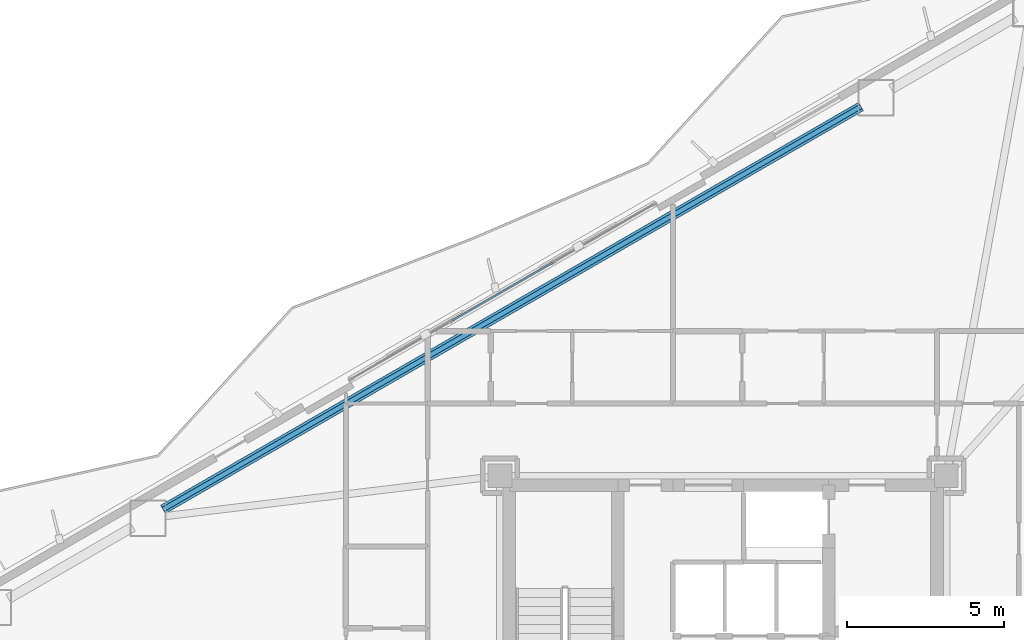
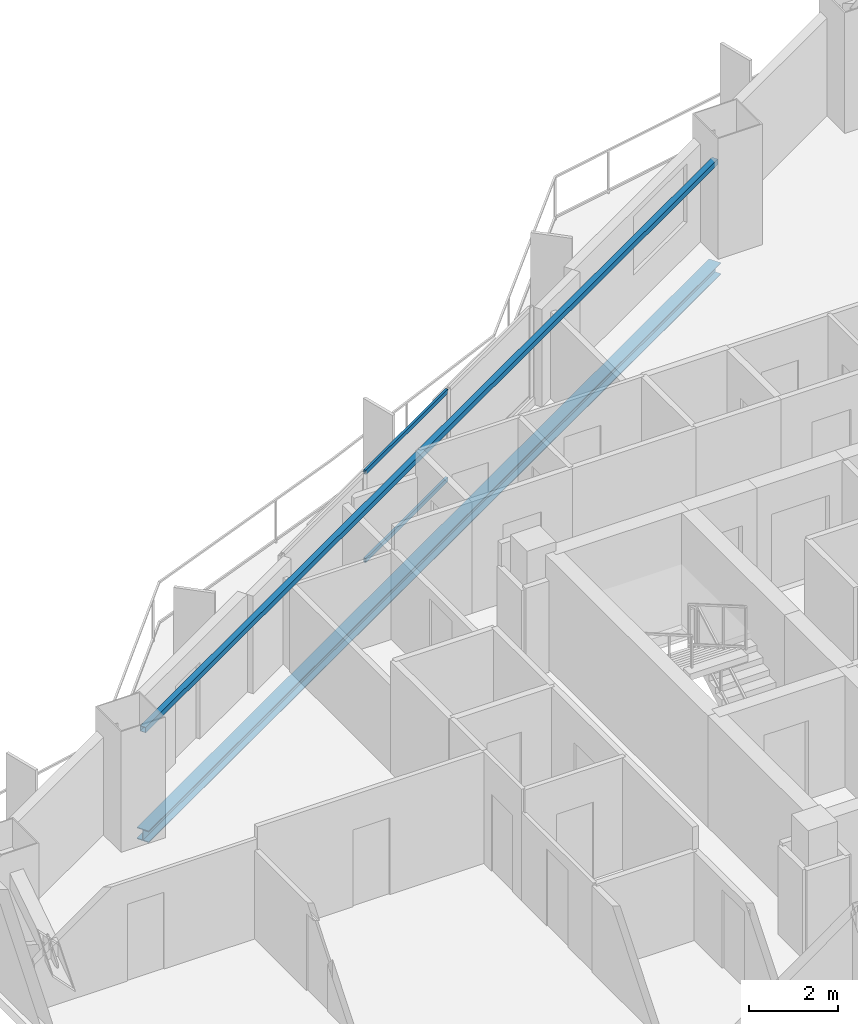
# One storey, part 12 of 22: 2 beams, 2 members, 1 element without a shape of its own.
"""IFC4 building model written with IfcOpenShell, lengths in metres."""

import ifcopenshell
import ifcopenshell.guid

model = None  # the IFC model being written
_history = None  # IfcOwnerHistory: only IFC2X3 demands one
_inside = {}  # id of a spatial element -> (the spatial element, [elements in it])
_under = {}  # id of a project, library or spatial element -> (it, [spatial elements below it])
_declared = {}  # id of a project -> (the project, [libraries it declares])
_typed = {}  # id of a type object -> (the type object, [elements of that type])
_made_of = {}  # id of a material, layer set ... -> (it, [elements and type objects made of it])


def new_model(schema):
    """Start an empty IFC model of exactly this schema.

    Asked for "IFC4X3", IfcOpenShell would pick the latest addendum, in which some entities
    have other attributes; the version numbers below select the first issue.
    IFC2X3 requires an IfcOwnerHistory on every rooted entity: one is made here for all.
    """
    global model, _history
    if schema == "IFC4X3":
        model = ifcopenshell.file(schema_version=(4, 3, 0, 0))
    else:
        model = ifcopenshell.file(schema=schema)
    _inside.clear()
    _under.clear()
    _declared.clear()
    _typed.clear()
    _made_of.clear()
    _history = None
    if model.schema == "IFC2X3":
        org = make("IfcOrganization", Name="unknown")
        user = make(
            "IfcPersonAndOrganization",
            ThePerson=make("IfcPerson", FamilyName="unknown"),
            TheOrganization=org,
        )
        app = make(
            "IfcApplication",
            ApplicationDeveloper=org,
            Version="unknown",
            ApplicationFullName="unknown",
            ApplicationIdentifier="unknown",
        )
        _history = make(
            "IfcOwnerHistory",
            OwningUser=user,
            OwningApplication=app,
            ChangeAction="ADDED",
            CreationDate=0,
        )
    return model


def make(cls, **values):
    """One entity of the class cls with the attributes given. An attribute that is None is left unset."""
    return model.create_entity(
        cls, **{name: value for name, value in values.items() if value is not None}
    )


def rooted(cls, **values):
    """An entity with a GlobalId (a new one), such as an element, a storey or a relation."""
    return make(cls, GlobalId=ifcopenshell.guid.new(), OwnerHistory=_history, **values)


def si_unit(unit_type, name, prefix=None):
    """IfcSIUnit, for example si_unit("LENGTHUNIT", "METRE", prefix="MILLI")."""
    return make("IfcSIUnit", UnitType=unit_type, Prefix=prefix, Name=name)


def assignment(units):
    """IfcUnitAssignment: the units of a project."""
    return None if units is None else make("IfcUnitAssignment", Units=units)


def point(xyz):
    """IfcCartesianPoint."""
    return None if xyz is None else make("IfcCartesianPoint", Coordinates=xyz)


def direction(xyz):
    """IfcDirection."""
    return None if xyz is None else make("IfcDirection", DirectionRatios=xyz)


def frame(location, z_axis=None, x_axis=None):
    """IfcAxis2Placement3D, a coordinate frame: its origin and axes. An axis left out is left unset."""
    return make(
        "IfcAxis2Placement3D",
        Location=point(location),
        Axis=direction(z_axis),
        RefDirection=direction(x_axis),
    )


def frame_2d(location, x_axis=None):
    """IfcAxis2Placement2D, a coordinate frame in the plane: its origin and x axis."""
    return make(
        "IfcAxis2Placement2D", Location=point(location), RefDirection=direction(x_axis)
    )


def origin():
    """The frame at (0, 0, 0) with its axes left unset."""
    return frame((0.0, 0.0, 0.0))


def origin_2d():
    """The frame at (0, 0) in the plane with its x axis left unset."""
    return frame_2d((0.0, 0.0))


def place(relative_to, where):
    """IfcLocalPlacement: puts the frame where relative to a parent placement (None: the world)."""
    return make(
        "IfcLocalPlacement", PlacementRelTo=relative_to, RelativePlacement=where
    )


def context(
    kind, dimensions, precision=None, world=None, true_north=None, identifier=None
):
    """IfcGeometricRepresentationContext, for example the 3D "Model" context."""
    return make(
        "IfcGeometricRepresentationContext",
        ContextIdentifier=identifier,
        ContextType=kind,
        CoordinateSpaceDimension=dimensions,
        Precision=precision,
        WorldCoordinateSystem=world,
        TrueNorth=true_north,
    )


def subcontext(parent, identifier, kind, view, scale=None):
    """IfcGeometricRepresentationSubContext, for example "Body" below "Model"."""
    return make(
        "IfcGeometricRepresentationSubContext",
        ContextIdentifier=identifier,
        ContextType=kind,
        ParentContext=parent,
        TargetScale=scale,
        TargetView=view,
    )


def project(units=None, contexts=None):
    """IfcProject with its units and contexts."""
    return rooted(
        "IfcProject",
        Name="project",
        RepresentationContexts=contexts,
        UnitsInContext=assignment(units),
    )


def spatial(cls, under=None, at=None, **own):
    """A site, building, storey or space (cls), placed at a placement, below another one or the project."""
    s = rooted(cls, ObjectPlacement=at, **own)
    if under is not None:
        _under.setdefault(under.id(), (under, []))[1].append(s)
    return s


def profile(cls, at=None, kind="AREA", **sizes):
    """A parametric profile (cls). Its sizes go by their IFC names, for example OverallWidth=200.0."""
    return make(cls, ProfileType=kind, Position=at, **sizes)


def hollow_rectangle(**sizes):
    """IfcRectangleHollowProfileDef."""
    return profile("IfcRectangleHollowProfileDef", **sizes)


def i_section(**sizes):
    """IfcIShapeProfileDef."""
    return profile("IfcIShapeProfileDef", **sizes)


def extrude(swept, where, along, depth):
    """IfcExtrudedAreaSolid: the profile swept, set in the frame where, extruded along a direction by depth."""
    return make(
        "IfcExtrudedAreaSolid",
        SweptArea=swept,
        Position=where,
        ExtrudedDirection=direction(along),
        Depth=depth,
    )


def shape(context_of_items, identifier, shape_type, items):
    """IfcShapeRepresentation: the items that make up one representation, for example the "Body"."""
    return make(
        "IfcShapeRepresentation",
        ContextOfItems=context_of_items,
        RepresentationIdentifier=identifier,
        RepresentationType=shape_type,
        Items=items,
    )


def material(Name=None, Category=None):
    """IfcMaterial."""
    return make("IfcMaterial", Name=Name, Category=Category)


def layer(
    of_material, thickness, ventilated=None, Name=None, Category=None, Priority=None
):
    """IfcMaterialLayer: one layer of a wall or slab, of a material (None: an air gap)."""
    return make(
        "IfcMaterialLayer",
        Material=of_material,
        LayerThickness=thickness,
        IsVentilated=ventilated,
        Name=Name,
        Category=Category,
        Priority=Priority,
    )


def layer_set(layers, Name=None):
    """IfcMaterialLayerSet."""
    return make("IfcMaterialLayerSet", MaterialLayers=layers, LayerSetName=Name)


def material_profile(
    of_material, cross_section, Name=None, Category=None, Priority=None
):
    """IfcMaterialProfile: a cross section and its material."""
    return make(
        "IfcMaterialProfile",
        Name=Name,
        Material=of_material,
        Profile=cross_section,
        Priority=Priority,
        Category=Category,
    )


def profile_set(profiles, Name=None, composite=None):
    """IfcMaterialProfileSet."""
    return make(
        "IfcMaterialProfileSet",
        Name=Name,
        MaterialProfiles=profiles,
        CompositeProfile=composite,
    )


def made_of(thing, what):
    """Note that an element or type object is made of a material, layer set ...; save() writes the relation."""
    if what is not None:
        _made_of.setdefault(what.id(), (what, []))[1].append(thing)
    return thing


def type_object(cls, material=None, **own):
    """A type object (cls), such as IfcWallType, which elements share."""
    return made_of(rooted(cls, **own), material)


def element(
    cls,
    number,
    at=None,
    inside=None,
    cuts=None,
    type_object=None,
    material=None,
    context=None,
    identifier="Body",
    shape_type=None,
    held_by="IfcProductDefinitionShape",
    body=None,
    shapes=None,
    **own,
):
    """One element of the class cls, such as IfcWall. Its Tag is "e" and its number.

    at: its placement. inside: the storey or other place that contains it. cuts: it is an
    opening in that element (IfcRelVoidsElement). A single representation is given by context,
    identifier, shape_type and body (its items); several are given by shapes. held_by: the class
    of the entity that holds the representations. save() writes the other relations.
    """
    e = rooted(cls, Tag="e%d" % number, ObjectPlacement=at, **own)
    if body is not None:
        shapes = [shape(context, identifier, shape_type, body)]
    if shapes is not None:
        e.Representation = make(held_by, Representations=shapes)
    if inside is not None:
        _inside.setdefault(inside.id(), (inside, []))[1].append(e)
    if cuts is not None:
        rooted(
            "IfcRelVoidsElement", RelatingBuildingElement=cuts, RelatedOpeningElement=e
        )
    if type_object is not None:
        _typed.setdefault(type_object.id(), (type_object, []))[1].append(e)
    return made_of(e, material)


def aggregate(whole, parts):
    """IfcRelAggregates: a whole, such as a stair, and the parts it consists of."""
    return rooted("IfcRelAggregates", RelatingObject=whole, RelatedObjects=parts)


def save(model, path):
    """Write the relations noted so far, then the file.

    IfcRelAggregates (storeys below a building ...), IfcRelContainedInSpatialStructure (elements
    in a storey), IfcRelDefinesByType, IfcRelAssociatesMaterial and IfcRelDeclares: one each for
    every whole, place, type object, material and project.
    """
    for whole, parts in _under.values():
        aggregate(whole, parts)
    for where, things in _inside.values():
        rooted(
            "IfcRelContainedInSpatialStructure",
            RelatedElements=things,
            RelatingStructure=where,
        )
    for kind, things in _typed.values():
        rooted("IfcRelDefinesByType", RelatedObjects=things, RelatingType=kind)
    for what, things in _made_of.values():
        rooted("IfcRelAssociatesMaterial", RelatedObjects=things, RelatingMaterial=what)
    for by, libraries in _declared.values():
        rooted("IfcRelDeclares", RelatingContext=by, RelatedDefinitions=libraries)
    model.write(path)


model = new_model("IFC4")

# Units and contexts
model_context = context("Model", 3, precision=1e-05, world=origin(), true_north=direction((0.0, 1.0)))
body_context = subcontext(model_context, "Body", "Model", "MODEL_VIEW")
ifc_project = project(units=[si_unit("LENGTHUNIT", "METRE"), si_unit("AREAUNIT", "SQUARE_METRE"), si_unit("VOLUMEUNIT", "CUBIC_METRE"), si_unit("PLANEANGLEUNIT", "RADIAN"), si_unit("MASSUNIT", "GRAM", prefix="KILO")], contexts=[model_context])

# Site, building, storey
site_placement = place(None, origin())
site = spatial("IfcSite", under=ifc_project, at=site_placement, CompositionType="ELEMENT")
building_placement = place(site_placement, origin())
building = spatial("IfcBuilding", under=site, at=building_placement, Name="Mersakhor Tower and Convention Hall", CompositionType="ELEMENT")
storey_placement = place(building_placement, frame((0.0, 0.0, 99.89990234375)))
storey = spatial("IfcBuildingStorey", under=building, at=storey_placement, Name="L27", CompositionType="ELEMENT", Elevation=99.89990234375)

# Beams
ifc_material_1 = material(Name="Steel S355", Category="steel")
ifc_material_profile_1 = material_profile(ifc_material_1, hollow_rectangle(XDim=0.14990234375, YDim=0.14990234375, WallThickness=0.010009765625, at=origin_2d()), Name="SHS 150x150x10")
ifc_profile_set_1 = profile_set([ifc_material_profile_1], Name="Steel S355")
beam_type_1 = type_object("IfcBeamType", Name="BM-GRT-SHS150", PredefinedType="USERDEFINED", material=ifc_profile_set_1)
beam_1_placement = place(storey_placement, frame((11.18310546875, 31.976318359375, 2.47998046875), z_axis=(0.866022538643, 0.500004962538, 0.0), x_axis=(-0.500004962538, 0.866022538643, 0.0)))
element("IfcBeam", 1, at=beam_1_placement, inside=storey, type_object=beam_type_1, Name="L27 Facade Support Girt GRT-F1", ObjectType="GIRT", PredefinedType="USERDEFINED", context=body_context, shape_type="SweptSolid", body=[
    extrude(hollow_rectangle(XDim=0.14990234375, YDim=0.14990234375, WallThickness=0.010009765625, at=origin_2d()), origin(), (0.0, 0.0, 1.0), 25.633544921875),
])
ifc_material_2 = material(Name="Steel S355", Category="steel")
ifc_material_profile_2 = material_profile(ifc_material_2, i_section(OverallWidth=0.30908203125, OverallDepth=0.320556640625, WebThickness=0.013916015625, FlangeThickness=0.021728515625, at=origin_2d()), Name="UC 305x305x137")
ifc_profile_set_2 = profile_set([ifc_material_profile_2], Name="Steel S355")
beam_type_2 = type_object("IfcBeamType", Name="BM-SPD-UC305", PredefinedType="SPANDREL", material=ifc_profile_set_2)
beam_2_placement = place(storey_placement, frame((11.18310546875, 31.976318359375, -0.41015625), z_axis=(0.866022538643, 0.500004962538, 0.0), x_axis=(-0.500004962538, 0.866022538643, 0.0)))
element("IfcBeam", 2, at=beam_2_placement, inside=storey, type_object=beam_type_2, Name="L27 Perimeter Spandrel Beam SPB-02", PredefinedType="SPANDREL", context=body_context, shape_type="SweptSolid", body=[
    extrude(i_section(OverallWidth=0.30908203125, OverallDepth=0.320556640625, WebThickness=0.013916015625, FlangeThickness=0.021728515625, at=origin_2d()), origin(), (0.0, 0.0, 1.0), 25.633544921875),
])

# Curtain wall, members
ifc_material_3 = material(Name="Dark solar low-E aluminium curtain wall", Category="aluminium")
ifc_layer = layer(ifc_material_3, 0.159912109375)
ifc_layer_set = layer_set([ifc_layer], Name="Dark solar low-E aluminium curtain wall")
curtain_wall_type = type_object("IfcCurtainWallType", Name="CW-SYS-01", PredefinedType="USERDEFINED", material=ifc_layer_set)
curtain_wall_placement = place(storey_placement, origin())
curtain_wall = element("IfcCurtainWall", 3, at=curtain_wall_placement, inside=storey, type_object=curtain_wall_type, Name="L27 Dark-Glass Curtain Wall F1-B2", ObjectType="CURTAIN WALL", PredefinedType="USERDEFINED")
ifc_material_4 = material(Name="Anodised aluminium EN AW-6063 T6", Category="aluminium")
ifc_material_profile_3 = material_profile(ifc_material_4, hollow_rectangle(XDim=0.06005859375, YDim=0.1201171875, WallThickness=0.0048828125, at=origin_2d()), Name="RHS 120x60x5")
ifc_profile_set_3 = profile_set([ifc_material_profile_3], Name="Anodised aluminium EN AW-6063 T6")
member_type = type_object("IfcMemberType", Name="CWT-120x60", PredefinedType="USERDEFINED", material=ifc_profile_set_3)
member_1_placement = place(storey_placement, frame((20.394287109375, 37.9873046875, 0.22998046875), z_axis=(0.866039286129, 0.499975954304, 0.0), x_axis=(-0.499975954304, 0.866039286129, 0.0)))
member_1 = element("IfcMember", 4, at=member_1_placement, type_object=member_type, Name="CW-01 transom 2.1", ObjectType="TRANSOM", PredefinedType="USERDEFINED", context=body_context, shape_type="SweptSolid", body=[
    extrude(hollow_rectangle(XDim=0.06005859375, YDim=0.1201171875, WallThickness=0.0048828125, at=origin_2d()), origin(), (0.0, 0.0, 1.0), 3.668212890625),
])
member_2_placement = place(storey_placement, frame((20.394287109375, 37.9873046875, 2.64013671875), z_axis=(0.866039286129, 0.499975954304, 0.0), x_axis=(-0.499975954304, 0.866039286129, 0.0)))
member_2 = element("IfcMember", 5, at=member_2_placement, type_object=member_type, Name="CW-01 transom 2.2", ObjectType="TRANSOM", PredefinedType="USERDEFINED", context=body_context, shape_type="SweptSolid", body=[
    extrude(hollow_rectangle(XDim=0.06005859375, YDim=0.1201171875, WallThickness=0.0048828125, at=origin_2d()), origin(), (0.0, 0.0, 1.0), 3.668212890625),
])
aggregate(curtain_wall, [member_1, member_2])

save(model, "model.ifc")
